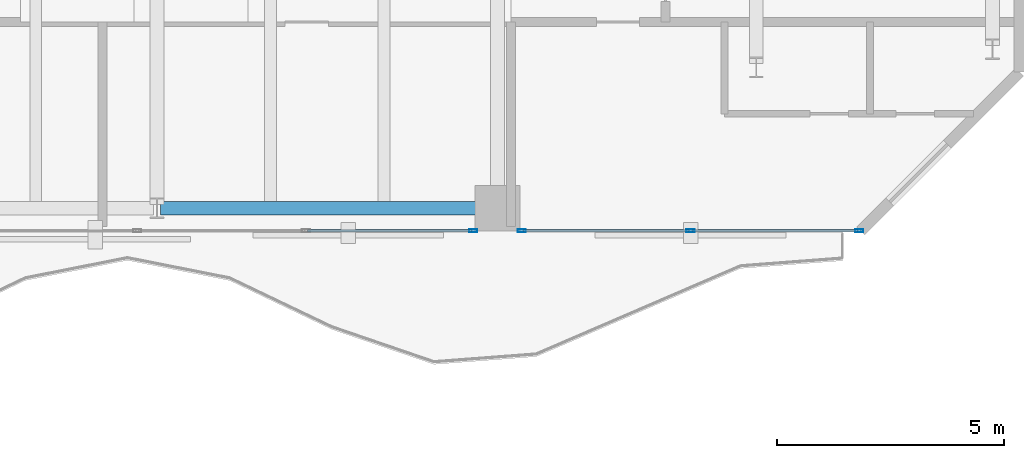
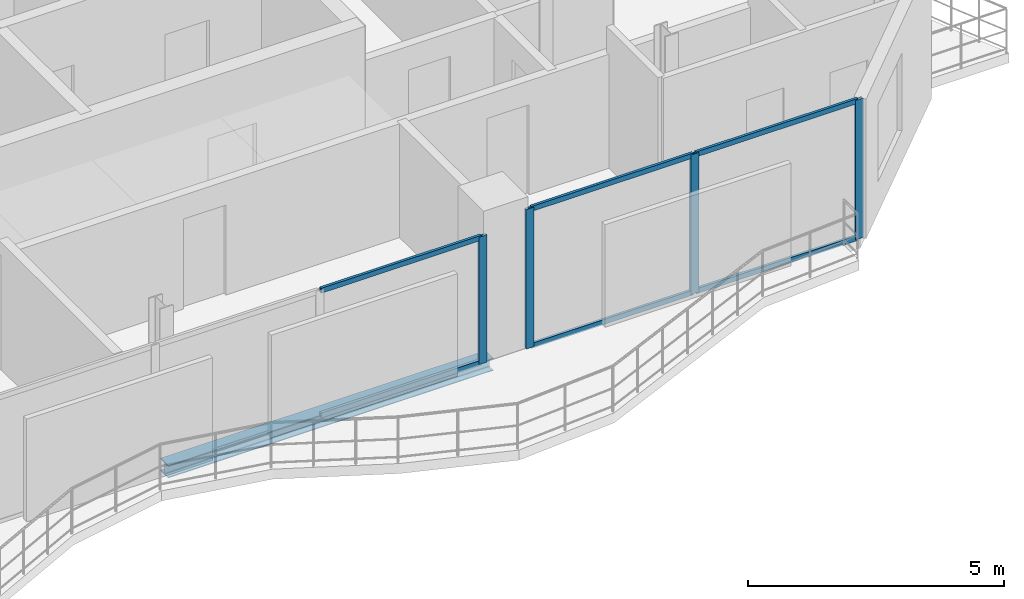
# One storey, part 12 of 23: 10 members, 1 beam, 2 elements without a shape of their own.
"""IFC4 building model written with IfcOpenShell, lengths in metres."""

import ifcopenshell
import ifcopenshell.guid

model = None  # the IFC model being written
_history = None  # IfcOwnerHistory: only IFC2X3 demands one
_inside = {}  # id of a spatial element -> (the spatial element, [elements in it])
_under = {}  # id of a project, library or spatial element -> (it, [spatial elements below it])
_declared = {}  # id of a project -> (the project, [libraries it declares])
_typed = {}  # id of a type object -> (the type object, [elements of that type])
_made_of = {}  # id of a material, layer set ... -> (it, [elements and type objects made of it])


def new_model(schema):
    """Start an empty IFC model of exactly this schema.

    Asked for "IFC4X3", IfcOpenShell would pick the latest addendum, in which some entities
    have other attributes; the version numbers below select the first issue.
    IFC2X3 requires an IfcOwnerHistory on every rooted entity: one is made here for all.
    """
    global model, _history
    if schema == "IFC4X3":
        model = ifcopenshell.file(schema_version=(4, 3, 0, 0))
    else:
        model = ifcopenshell.file(schema=schema)
    _inside.clear()
    _under.clear()
    _declared.clear()
    _typed.clear()
    _made_of.clear()
    _history = None
    if model.schema == "IFC2X3":
        org = make("IfcOrganization", Name="unknown")
        user = make(
            "IfcPersonAndOrganization",
            ThePerson=make("IfcPerson", FamilyName="unknown"),
            TheOrganization=org,
        )
        app = make(
            "IfcApplication",
            ApplicationDeveloper=org,
            Version="unknown",
            ApplicationFullName="unknown",
            ApplicationIdentifier="unknown",
        )
        _history = make(
            "IfcOwnerHistory",
            OwningUser=user,
            OwningApplication=app,
            ChangeAction="ADDED",
            CreationDate=0,
        )
    return model


def make(cls, **values):
    """One entity of the class cls with the attributes given. An attribute that is None is left unset."""
    return model.create_entity(
        cls, **{name: value for name, value in values.items() if value is not None}
    )


def rooted(cls, **values):
    """An entity with a GlobalId (a new one), such as an element, a storey or a relation."""
    return make(cls, GlobalId=ifcopenshell.guid.new(), OwnerHistory=_history, **values)


def si_unit(unit_type, name, prefix=None):
    """IfcSIUnit, for example si_unit("LENGTHUNIT", "METRE", prefix="MILLI")."""
    return make("IfcSIUnit", UnitType=unit_type, Prefix=prefix, Name=name)


def assignment(units):
    """IfcUnitAssignment: the units of a project."""
    return None if units is None else make("IfcUnitAssignment", Units=units)


def point(xyz):
    """IfcCartesianPoint."""
    return None if xyz is None else make("IfcCartesianPoint", Coordinates=xyz)


def direction(xyz):
    """IfcDirection."""
    return None if xyz is None else make("IfcDirection", DirectionRatios=xyz)


def frame(location, z_axis=None, x_axis=None):
    """IfcAxis2Placement3D, a coordinate frame: its origin and axes. An axis left out is left unset."""
    return make(
        "IfcAxis2Placement3D",
        Location=point(location),
        Axis=direction(z_axis),
        RefDirection=direction(x_axis),
    )


def frame_2d(location, x_axis=None):
    """IfcAxis2Placement2D, a coordinate frame in the plane: its origin and x axis."""
    return make(
        "IfcAxis2Placement2D", Location=point(location), RefDirection=direction(x_axis)
    )


def origin():
    """The frame at (0, 0, 0) with its axes left unset."""
    return frame((0.0, 0.0, 0.0))


def origin_2d():
    """The frame at (0, 0) in the plane with its x axis left unset."""
    return frame_2d((0.0, 0.0))


def place(relative_to, where):
    """IfcLocalPlacement: puts the frame where relative to a parent placement (None: the world)."""
    return make(
        "IfcLocalPlacement", PlacementRelTo=relative_to, RelativePlacement=where
    )


def context(
    kind, dimensions, precision=None, world=None, true_north=None, identifier=None
):
    """IfcGeometricRepresentationContext, for example the 3D "Model" context."""
    return make(
        "IfcGeometricRepresentationContext",
        ContextIdentifier=identifier,
        ContextType=kind,
        CoordinateSpaceDimension=dimensions,
        Precision=precision,
        WorldCoordinateSystem=world,
        TrueNorth=true_north,
    )


def subcontext(parent, identifier, kind, view, scale=None):
    """IfcGeometricRepresentationSubContext, for example "Body" below "Model"."""
    return make(
        "IfcGeometricRepresentationSubContext",
        ContextIdentifier=identifier,
        ContextType=kind,
        ParentContext=parent,
        TargetScale=scale,
        TargetView=view,
    )


def project(units=None, contexts=None):
    """IfcProject with its units and contexts."""
    return rooted(
        "IfcProject",
        Name="project",
        RepresentationContexts=contexts,
        UnitsInContext=assignment(units),
    )


def spatial(cls, under=None, at=None, **own):
    """A site, building, storey or space (cls), placed at a placement, below another one or the project."""
    s = rooted(cls, ObjectPlacement=at, **own)
    if under is not None:
        _under.setdefault(under.id(), (under, []))[1].append(s)
    return s


def profile(cls, at=None, kind="AREA", **sizes):
    """A parametric profile (cls). Its sizes go by their IFC names, for example OverallWidth=200.0."""
    return make(cls, ProfileType=kind, Position=at, **sizes)


def hollow_rectangle(**sizes):
    """IfcRectangleHollowProfileDef."""
    return profile("IfcRectangleHollowProfileDef", **sizes)


def i_section(**sizes):
    """IfcIShapeProfileDef."""
    return profile("IfcIShapeProfileDef", **sizes)


def extrude(swept, where, along, depth):
    """IfcExtrudedAreaSolid: the profile swept, set in the frame where, extruded along a direction by depth."""
    return make(
        "IfcExtrudedAreaSolid",
        SweptArea=swept,
        Position=where,
        ExtrudedDirection=direction(along),
        Depth=depth,
    )


def shape(context_of_items, identifier, shape_type, items):
    """IfcShapeRepresentation: the items that make up one representation, for example the "Body"."""
    return make(
        "IfcShapeRepresentation",
        ContextOfItems=context_of_items,
        RepresentationIdentifier=identifier,
        RepresentationType=shape_type,
        Items=items,
    )


def material(Name=None, Category=None):
    """IfcMaterial."""
    return make("IfcMaterial", Name=Name, Category=Category)


def layer(
    of_material, thickness, ventilated=None, Name=None, Category=None, Priority=None
):
    """IfcMaterialLayer: one layer of a wall or slab, of a material (None: an air gap)."""
    return make(
        "IfcMaterialLayer",
        Material=of_material,
        LayerThickness=thickness,
        IsVentilated=ventilated,
        Name=Name,
        Category=Category,
        Priority=Priority,
    )


def layer_set(layers, Name=None):
    """IfcMaterialLayerSet."""
    return make("IfcMaterialLayerSet", MaterialLayers=layers, LayerSetName=Name)


def material_profile(
    of_material, cross_section, Name=None, Category=None, Priority=None
):
    """IfcMaterialProfile: a cross section and its material."""
    return make(
        "IfcMaterialProfile",
        Name=Name,
        Material=of_material,
        Profile=cross_section,
        Priority=Priority,
        Category=Category,
    )


def profile_set(profiles, Name=None, composite=None):
    """IfcMaterialProfileSet."""
    return make(
        "IfcMaterialProfileSet",
        Name=Name,
        MaterialProfiles=profiles,
        CompositeProfile=composite,
    )


def made_of(thing, what):
    """Note that an element or type object is made of a material, layer set ...; save() writes the relation."""
    if what is not None:
        _made_of.setdefault(what.id(), (what, []))[1].append(thing)
    return thing


def type_object(cls, material=None, **own):
    """A type object (cls), such as IfcWallType, which elements share."""
    return made_of(rooted(cls, **own), material)


def element(
    cls,
    number,
    at=None,
    inside=None,
    cuts=None,
    type_object=None,
    material=None,
    context=None,
    identifier="Body",
    shape_type=None,
    held_by="IfcProductDefinitionShape",
    body=None,
    shapes=None,
    **own,
):
    """One element of the class cls, such as IfcWall. Its Tag is "e" and its number.

    at: its placement. inside: the storey or other place that contains it. cuts: it is an
    opening in that element (IfcRelVoidsElement). A single representation is given by context,
    identifier, shape_type and body (its items); several are given by shapes. held_by: the class
    of the entity that holds the representations. save() writes the other relations.
    """
    e = rooted(cls, Tag="e%d" % number, ObjectPlacement=at, **own)
    if body is not None:
        shapes = [shape(context, identifier, shape_type, body)]
    if shapes is not None:
        e.Representation = make(held_by, Representations=shapes)
    if inside is not None:
        _inside.setdefault(inside.id(), (inside, []))[1].append(e)
    if cuts is not None:
        rooted(
            "IfcRelVoidsElement", RelatingBuildingElement=cuts, RelatedOpeningElement=e
        )
    if type_object is not None:
        _typed.setdefault(type_object.id(), (type_object, []))[1].append(e)
    return made_of(e, material)


def aggregate(whole, parts):
    """IfcRelAggregates: a whole, such as a stair, and the parts it consists of."""
    return rooted("IfcRelAggregates", RelatingObject=whole, RelatedObjects=parts)


def save(model, path):
    """Write the relations noted so far, then the file.

    IfcRelAggregates (storeys below a building ...), IfcRelContainedInSpatialStructure (elements
    in a storey), IfcRelDefinesByType, IfcRelAssociatesMaterial and IfcRelDeclares: one each for
    every whole, place, type object, material and project.
    """
    for whole, parts in _under.values():
        aggregate(whole, parts)
    for where, things in _inside.values():
        rooted(
            "IfcRelContainedInSpatialStructure",
            RelatedElements=things,
            RelatingStructure=where,
        )
    for kind, things in _typed.values():
        rooted("IfcRelDefinesByType", RelatedObjects=things, RelatingType=kind)
    for what, things in _made_of.values():
        rooted("IfcRelAssociatesMaterial", RelatedObjects=things, RelatingMaterial=what)
    for by, libraries in _declared.values():
        rooted("IfcRelDeclares", RelatingContext=by, RelatedDefinitions=libraries)
    model.write(path)


model = new_model("IFC4")

# Units and contexts
model_context = context("Model", 3, precision=1e-05, world=origin(), true_north=direction((0.0, 1.0)))
body_context = subcontext(model_context, "Body", "Model", "MODEL_VIEW")
ifc_project = project(units=[si_unit("LENGTHUNIT", "METRE"), si_unit("AREAUNIT", "SQUARE_METRE"), si_unit("VOLUMEUNIT", "CUBIC_METRE"), si_unit("PLANEANGLEUNIT", "RADIAN"), si_unit("MASSUNIT", "GRAM", prefix="KILO")], contexts=[model_context])

# Site, building, storey
site_placement = place(None, origin())
site = spatial("IfcSite", under=ifc_project, at=site_placement, CompositionType="ELEMENT")
building_placement = place(site_placement, origin())
building = spatial("IfcBuilding", under=site, at=building_placement, Name="Catumbela Crestline Tower", CompositionType="ELEMENT")
storey_placement = place(building_placement, frame((0.0, 0.0, 201.0)))
storey = spatial("IfcBuildingStorey", under=building, at=storey_placement, Name="L52", CompositionType="ELEMENT", Elevation=201.0)

# Curtain wall, member
ifc_material_1 = material(Name="Aluminium alloy AW-6060-T66", Category="aluminium")
ifc_layer = layer(ifc_material_1, 0.18, Name="Aluminium alloy AW-6060-T66")
ifc_layer_set = layer_set([ifc_layer], Name="Aluminium alloy AW-6060-T66")
curtain_wall_type = type_object("IfcCurtainWallType", Name="CWU-Z3", PredefinedType="USERDEFINED", material=ifc_layer_set)
curtain_wall_1_placement = place(storey_placement, origin())
curtain_wall_1 = element("IfcCurtainWall", 1, at=curtain_wall_1_placement, inside=storey, type_object=curtain_wall_type, Name="L52 Unitised Curtain Wall CW-L52-E3S2", ObjectType="UNITISED", PredefinedType="USERDEFINED")
ifc_material_profile_1 = material_profile(ifc_material_1, hollow_rectangle(XDim=0.065, YDim=0.18, WallThickness=0.004, at=origin_2d()), Name="ALU 180x65x4")
ifc_profile_set_1 = profile_set([ifc_material_profile_1], Name="Aluminium alloy AW-6060-T66")
member_type_1 = type_object("IfcMemberType", Name="MUL-180X65", PredefinedType="MULLION", material=ifc_profile_set_1)
member_1_placement = place(storey_placement, frame((38.9675, 24.0, 0.0), z_axis=(0.0, 0.0, 1.0), x_axis=(0.0, 1.0, 0.0)))
member_1 = element("IfcMember", 2, at=member_1_placement, type_object=member_type_1, Name="CWU-Z3 mullion 4", PredefinedType="MULLION", context=body_context, shape_type="SweptSolid", body=[
    extrude(hollow_rectangle(XDim=0.065, YDim=0.18, WallThickness=0.004, at=origin_2d()), origin(), (0.0, 0.0, 1.0), 3.04),
])

# Curtain wall, members
curtain_wall_2_placement = place(storey_placement, origin())
curtain_wall_2 = element("IfcCurtainWall", 3, at=curtain_wall_2_placement, inside=storey, type_object=curtain_wall_type, Name="L52 Unitised Curtain Wall CW-L52-E3S3", ObjectType="UNITISED", PredefinedType="USERDEFINED")
member_2_placement = place(storey_placement, frame((40.0325, 24.0, 0.0), z_axis=(0.0, 0.0, 1.0), x_axis=(0.0, 1.0, 0.0)))
member_2 = element("IfcMember", 4, at=member_2_placement, type_object=member_type_1, Name="CWU-Z3 mullion 1", PredefinedType="MULLION", context=body_context, shape_type="SweptSolid", body=[
    extrude(hollow_rectangle(XDim=0.065, YDim=0.18, WallThickness=0.004, at=origin_2d()), origin(), (0.0, 0.0, 1.0), 3.33),
])
member_3_placement = place(storey_placement, frame((43.75, 24.0, 0.0), z_axis=(0.0, 0.0, 1.0), x_axis=(0.0, 1.0, 0.0)))
member_3 = element("IfcMember", 5, at=member_3_placement, type_object=member_type_1, Name="CWU-Z3 mullion 2", PredefinedType="MULLION", context=body_context, shape_type="SweptSolid", body=[
    extrude(hollow_rectangle(XDim=0.065, YDim=0.18, WallThickness=0.004, at=origin_2d()), origin(), (0.0, 0.0, 1.0), 3.33),
])
member_4_placement = place(storey_placement, frame((47.4675, 24.0, 0.0), z_axis=(0.0, 0.0, 1.0), x_axis=(0.0, 1.0, 0.0)))
member_4 = element("IfcMember", 6, at=member_4_placement, type_object=member_type_1, Name="CWU-Z3 mullion 3", PredefinedType="MULLION", context=body_context, shape_type="SweptSolid", body=[
    extrude(hollow_rectangle(XDim=0.065, YDim=0.18, WallThickness=0.004, at=origin_2d()), origin(), (0.0, 0.0, 1.0), 3.33),
])

# Beam
ifc_material_2 = material(Name="Structural steel S355J2", Category="steel")
ifc_material_profile_2 = material_profile(ifc_material_2, i_section(OverallWidth=0.3, OverallDepth=0.3, WebThickness=0.011, FlangeThickness=0.019, FilletRadius=0.027, at=origin_2d()), Name="HEB 300")
ifc_profile_set_2 = profile_set([ifc_material_profile_2], Name="Structural steel S355J2")
beam_type = type_object("IfcBeamType", Name="BS-HEB300", PredefinedType="SPANDREL", material=ifc_profile_set_2)
beam_placement = place(storey_placement, frame((32.08, 24.5, -0.41), z_axis=(1.0, 0.0, 0.0), x_axis=(0.0, 1.0, 0.0)))
element("IfcBeam", 7, at=beam_placement, inside=storey, type_object=beam_type, Name="L52 Spandrel SP-L52-S05", PredefinedType="SPANDREL", context=body_context, shape_type="SweptSolid", body=[
    extrude(i_section(OverallWidth=0.3, OverallDepth=0.3, WebThickness=0.011, FlangeThickness=0.019, FilletRadius=0.027, at=origin_2d()), origin(), (0.0, 0.0, 1.0), 7.34),
])

# Member
ifc_material_profile_3 = material_profile(ifc_material_1, hollow_rectangle(XDim=0.06, YDim=0.12, WallThickness=0.0035, at=origin_2d()), Name="ALU 120x60x3.5")
ifc_profile_set_3 = profile_set([ifc_material_profile_3], Name="Aluminium alloy AW-6060-T66")
member_type_2 = type_object("IfcMemberType", Name="TRN-120X60", PredefinedType="USERDEFINED", material=ifc_profile_set_3)
member_5_placement = place(storey_placement, frame((35.3158, 24.0, 0.03), z_axis=(1.0, 0.0, 0.0), x_axis=(0.0, 1.0, 0.0)))
member_5 = element("IfcMember", 8, at=member_5_placement, type_object=member_type_2, Name="CWU-Z3 transom 3.1", ObjectType="TRANSOM", PredefinedType="USERDEFINED", context=body_context, shape_type="SweptSolid", body=[
    extrude(hollow_rectangle(XDim=0.06, YDim=0.12, WallThickness=0.0035, at=origin_2d()), origin(), (0.0, 0.0, 1.0), 3.6192),
])

member_6_placement = place(storey_placement, frame((35.3158, 24.0, 3.01), z_axis=(1.0, 0.0, 0.0), x_axis=(0.0, 1.0, 0.0)))
member_6 = element("IfcMember", 9, at=member_6_placement, type_object=member_type_2, Name="CWU-Z3 transom 3.2", ObjectType="TRANSOM", PredefinedType="USERDEFINED", context=body_context, shape_type="SweptSolid", body=[
    extrude(hollow_rectangle(XDim=0.06, YDim=0.12, WallThickness=0.0035, at=origin_2d()), origin(), (0.0, 0.0, 1.0), 3.6192),
])

aggregate(curtain_wall_1, [member_1, member_5, member_6])

member_7_placement = place(storey_placement, frame((40.065, 24.0, 0.03), z_axis=(1.0, 0.0, 0.0), x_axis=(0.0, 1.0, 0.0)))
member_7 = element("IfcMember", 10, at=member_7_placement, type_object=member_type_2, Name="CWU-Z3 transom 1.1", ObjectType="TRANSOM", PredefinedType="USERDEFINED", context=body_context, shape_type="SweptSolid", body=[
    extrude(hollow_rectangle(XDim=0.06, YDim=0.12, WallThickness=0.0035, at=origin_2d()), origin(), (0.0, 0.0, 1.0), 3.6525),
])

member_8_placement = place(storey_placement, frame((40.065, 24.0, 3.3), z_axis=(1.0, 0.0, 0.0), x_axis=(0.0, 1.0, 0.0)))
member_8 = element("IfcMember", 11, at=member_8_placement, type_object=member_type_2, Name="CWU-Z3 transom 1.2", ObjectType="TRANSOM", PredefinedType="USERDEFINED", context=body_context, shape_type="SweptSolid", body=[
    extrude(hollow_rectangle(XDim=0.06, YDim=0.12, WallThickness=0.0035, at=origin_2d()), origin(), (0.0, 0.0, 1.0), 3.6525),
])

member_9_placement = place(storey_placement, frame((43.7825, 24.0, 0.03), z_axis=(1.0, 0.0, 0.0), x_axis=(0.0, 1.0, 0.0)))
member_9 = element("IfcMember", 12, at=member_9_placement, type_object=member_type_2, Name="CWU-Z3 transom 2.1", ObjectType="TRANSOM", PredefinedType="USERDEFINED", context=body_context, shape_type="SweptSolid", body=[
    extrude(hollow_rectangle(XDim=0.06, YDim=0.12, WallThickness=0.0035, at=origin_2d()), origin(), (0.0, 0.0, 1.0), 3.6525),
])

member_10_placement = place(storey_placement, frame((43.7825, 24.0, 3.3), z_axis=(1.0, 0.0, 0.0), x_axis=(0.0, 1.0, 0.0)))
member_10 = element("IfcMember", 13, at=member_10_placement, type_object=member_type_2, Name="CWU-Z3 transom 2.2", ObjectType="TRANSOM", PredefinedType="USERDEFINED", context=body_context, shape_type="SweptSolid", body=[
    extrude(hollow_rectangle(XDim=0.06, YDim=0.12, WallThickness=0.0035, at=origin_2d()), origin(), (0.0, 0.0, 1.0), 3.6525),
])

aggregate(curtain_wall_2, [member_2, member_3, member_4, member_7, member_8, member_9, member_10])

save(model, "model.ifc")
